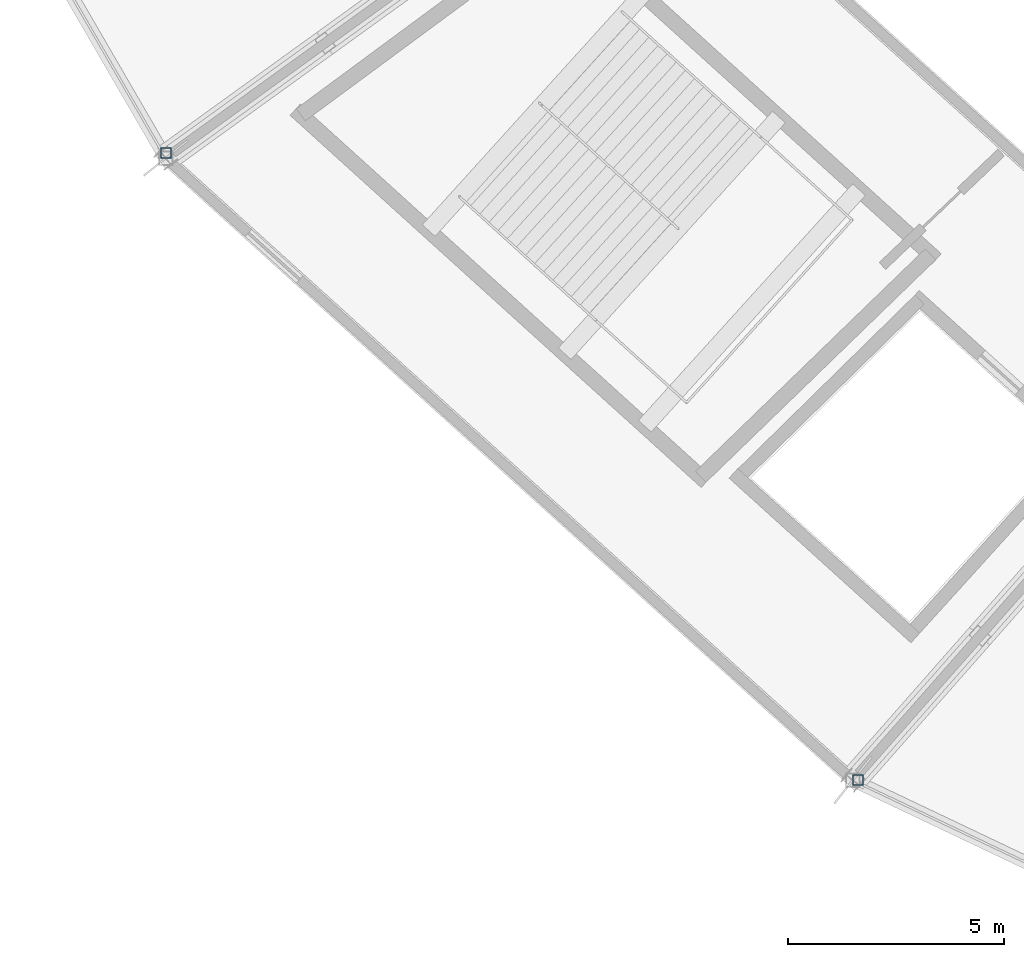
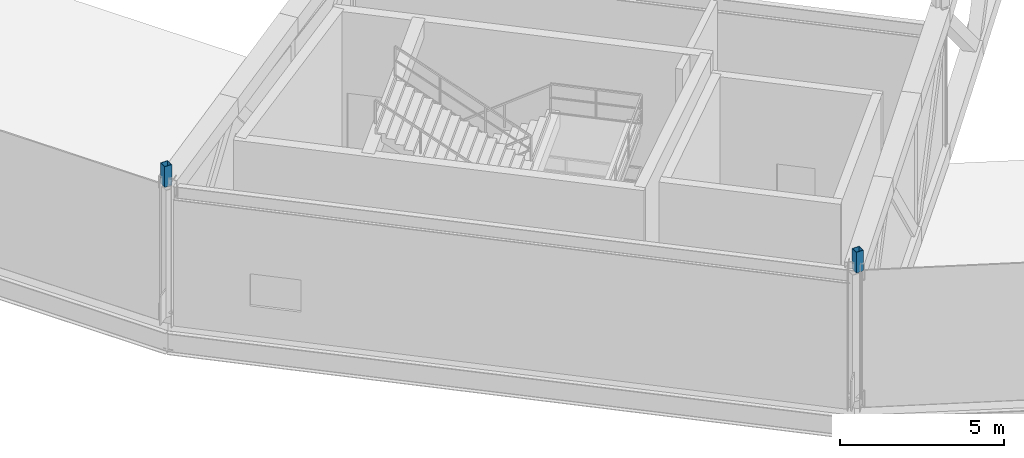
# One storey, part 91 of 162: 2 members.
"""IFC4 building model written with IfcOpenShell, lengths in metres."""

from ifc_helpers import new_model, si_unit, direction, frame, origin, origin_2d, place, context, subcontext, project, spatial, hollow_rectangle, extrude, material, material_profile, profile_set, type_object, element, save


model = new_model("IFC4")

# Units and contexts
model_context = context("Model", 3, precision=1e-05, world=origin(), true_north=direction((0.0, 1.0)))
body_context = subcontext(model_context, "Body", "Model", "MODEL_VIEW")
ifc_project = project(units=[si_unit("LENGTHUNIT", "METRE"), si_unit("AREAUNIT", "SQUARE_METRE"), si_unit("VOLUMEUNIT", "CUBIC_METRE"), si_unit("PLANEANGLEUNIT", "RADIAN"), si_unit("MASSUNIT", "GRAM", prefix="KILO")], contexts=[model_context])

# Site, building, storey
site_placement = place(None, origin())
site = spatial("IfcSite", under=ifc_project, at=site_placement, CompositionType="ELEMENT")
building_placement = place(site_placement, origin())
building = spatial("IfcBuilding", under=site, at=building_placement, Name="Kazemori Nagisa Stadium", CompositionType="ELEMENT")
storey_placement = place(building_placement, frame((0.0, 0.0, 36.719970703125)))
storey = spatial("IfcBuildingStorey", under=building, at=storey_placement, Name="RF", CompositionType="ELEMENT", Elevation=36.719970703125)

# Members
ifc_material = material(Name="Steel STKR490", Category="steel")
ifc_material_profile = material_profile(ifc_material, hollow_rectangle(XDim=0.25, YDim=0.25, WallThickness=0.011962890625, at=origin_2d()), Name="SHS-250x250x12")
ifc_profile_set = profile_set([ifc_material_profile], Name="Steel STKR490")
member_type = type_object("IfcMemberType", Name="Member_ST-SHS250", PredefinedType="STUD", material=ifc_profile_set)
for number, where, z_axis, x_axis, name in (
    (1, (44.510986328125, 45.4521484375, 5.10009765625), (0.0, 0.0, 1.0), (1.0, 0.0, 0.0), "Canopy bearing stool B17-outer-2"),
    (2, (60.52197265625, 30.9462890625, 5.10009765625), (0.0, 0.0, 1.0), (1.0, 0.0, 0.0), "Canopy bearing stool B19-outer-1"),
):
    element("IfcMember", number, at=place(storey_placement, frame(where, z_axis=z_axis, x_axis=x_axis)), inside=storey, type_object=member_type, Name=name, PredefinedType="STUD", context=body_context, shape_type="SweptSolid", body=[
        extrude(hollow_rectangle(XDim=0.25, YDim=0.25, WallThickness=0.011962890625, at=origin_2d()), origin(), (0.0, 0.0, 1.0), 0.77490234375),
    ])

save(model, "model.ifc")
